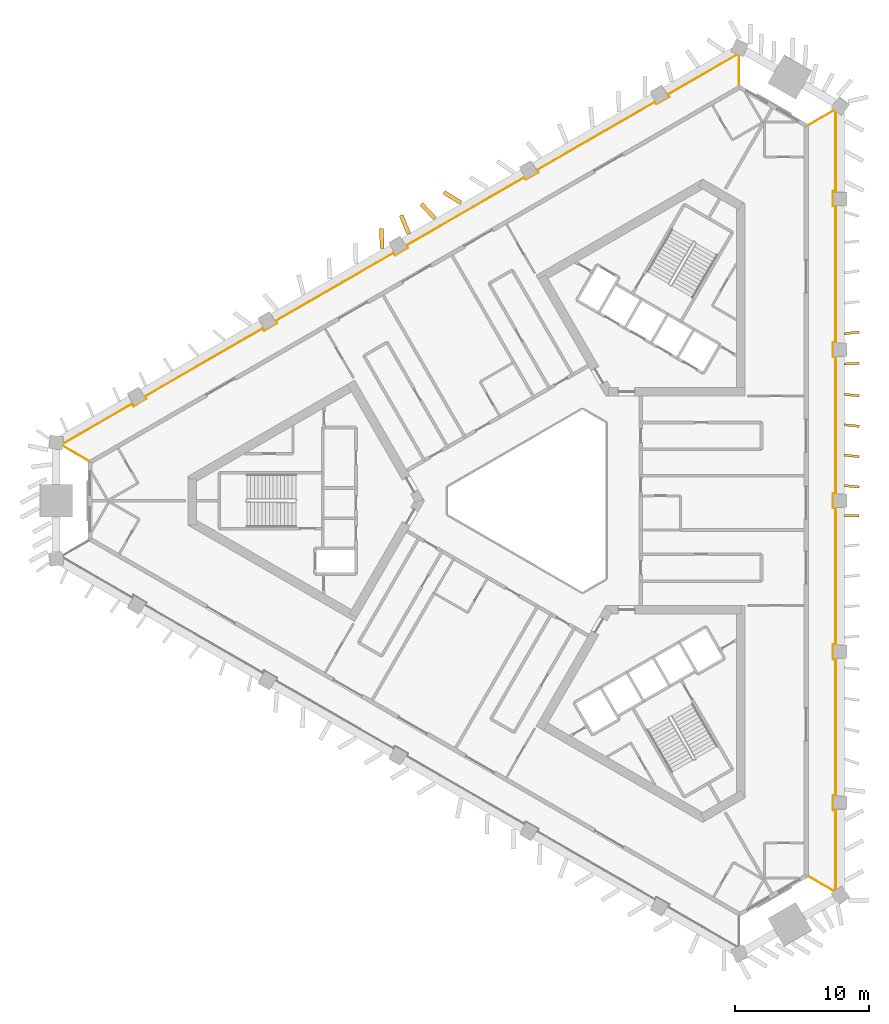
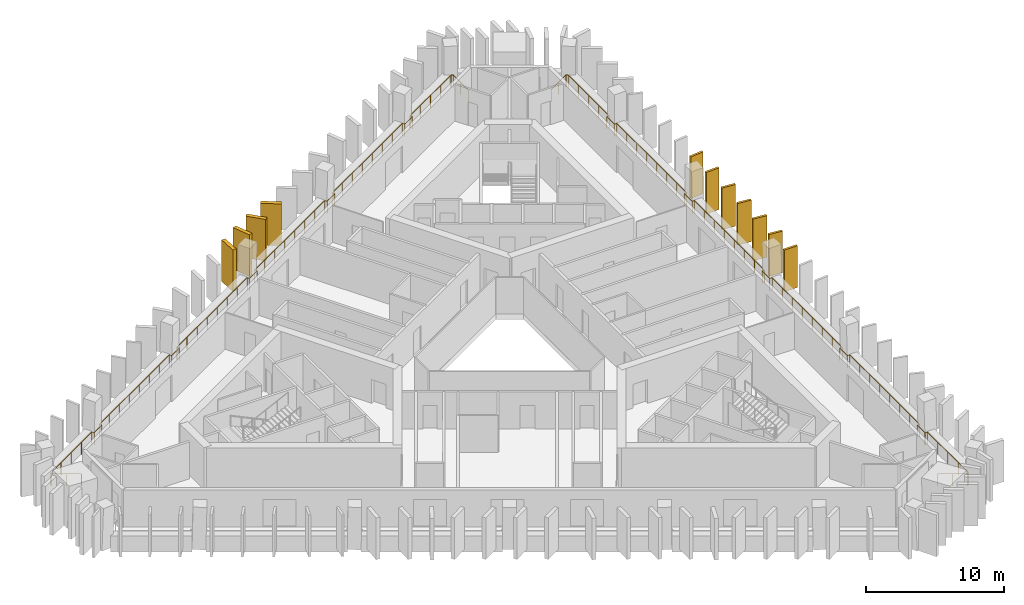
# One storey, part 10 of 11: 11 shading devices, 2 railings.
"""IFC4 building model written with IfcOpenShell, lengths in metres."""

import ifcopenshell
import ifcopenshell.guid

model = None  # the IFC model being written
_history = None  # IfcOwnerHistory: only IFC2X3 demands one
_inside = {}  # id of a spatial element -> (the spatial element, [elements in it])
_under = {}  # id of a project, library or spatial element -> (it, [spatial elements below it])
_declared = {}  # id of a project -> (the project, [libraries it declares])
_typed = {}  # id of a type object -> (the type object, [elements of that type])
_made_of = {}  # id of a material, layer set ... -> (it, [elements and type objects made of it])


def new_model(schema):
    """Start an empty IFC model of exactly this schema.

    Asked for "IFC4X3", IfcOpenShell would pick the latest addendum, in which some entities
    have other attributes; the version numbers below select the first issue.
    IFC2X3 requires an IfcOwnerHistory on every rooted entity: one is made here for all.
    """
    global model, _history
    if schema == "IFC4X3":
        model = ifcopenshell.file(schema_version=(4, 3, 0, 0))
    else:
        model = ifcopenshell.file(schema=schema)
    _inside.clear()
    _under.clear()
    _declared.clear()
    _typed.clear()
    _made_of.clear()
    _history = None
    if model.schema == "IFC2X3":
        org = make("IfcOrganization", Name="unknown")
        user = make(
            "IfcPersonAndOrganization",
            ThePerson=make("IfcPerson", FamilyName="unknown"),
            TheOrganization=org,
        )
        app = make(
            "IfcApplication",
            ApplicationDeveloper=org,
            Version="unknown",
            ApplicationFullName="unknown",
            ApplicationIdentifier="unknown",
        )
        _history = make(
            "IfcOwnerHistory",
            OwningUser=user,
            OwningApplication=app,
            ChangeAction="ADDED",
            CreationDate=0,
        )
    return model


def make(cls, **values):
    """One entity of the class cls with the attributes given. An attribute that is None is left unset."""
    return model.create_entity(
        cls, **{name: value for name, value in values.items() if value is not None}
    )


def rooted(cls, **values):
    """An entity with a GlobalId (a new one), such as an element, a storey or a relation."""
    return make(cls, GlobalId=ifcopenshell.guid.new(), OwnerHistory=_history, **values)


def si_unit(unit_type, name, prefix=None):
    """IfcSIUnit, for example si_unit("LENGTHUNIT", "METRE", prefix="MILLI")."""
    return make("IfcSIUnit", UnitType=unit_type, Prefix=prefix, Name=name)


def assignment(units):
    """IfcUnitAssignment: the units of a project."""
    return None if units is None else make("IfcUnitAssignment", Units=units)


def point(xyz):
    """IfcCartesianPoint."""
    return None if xyz is None else make("IfcCartesianPoint", Coordinates=xyz)


def direction(xyz):
    """IfcDirection."""
    return None if xyz is None else make("IfcDirection", DirectionRatios=xyz)


def frame(location, z_axis=None, x_axis=None):
    """IfcAxis2Placement3D, a coordinate frame: its origin and axes. An axis left out is left unset."""
    return make(
        "IfcAxis2Placement3D",
        Location=point(location),
        Axis=direction(z_axis),
        RefDirection=direction(x_axis),
    )


def frame_2d(location, x_axis=None):
    """IfcAxis2Placement2D, a coordinate frame in the plane: its origin and x axis."""
    return make(
        "IfcAxis2Placement2D", Location=point(location), RefDirection=direction(x_axis)
    )


def origin():
    """The frame at (0, 0, 0) with its axes left unset."""
    return frame((0.0, 0.0, 0.0))


def origin_2d():
    """The frame at (0, 0) in the plane with its x axis left unset."""
    return frame_2d((0.0, 0.0))


def place(relative_to, where):
    """IfcLocalPlacement: puts the frame where relative to a parent placement (None: the world)."""
    return make(
        "IfcLocalPlacement", PlacementRelTo=relative_to, RelativePlacement=where
    )


def context(
    kind, dimensions, precision=None, world=None, true_north=None, identifier=None
):
    """IfcGeometricRepresentationContext, for example the 3D "Model" context."""
    return make(
        "IfcGeometricRepresentationContext",
        ContextIdentifier=identifier,
        ContextType=kind,
        CoordinateSpaceDimension=dimensions,
        Precision=precision,
        WorldCoordinateSystem=world,
        TrueNorth=true_north,
    )


def subcontext(parent, identifier, kind, view, scale=None):
    """IfcGeometricRepresentationSubContext, for example "Body" below "Model"."""
    return make(
        "IfcGeometricRepresentationSubContext",
        ContextIdentifier=identifier,
        ContextType=kind,
        ParentContext=parent,
        TargetScale=scale,
        TargetView=view,
    )


def project(units=None, contexts=None):
    """IfcProject with its units and contexts."""
    return rooted(
        "IfcProject",
        Name="project",
        RepresentationContexts=contexts,
        UnitsInContext=assignment(units),
    )


def spatial(cls, under=None, at=None, **own):
    """A site, building, storey or space (cls), placed at a placement, below another one or the project."""
    s = rooted(cls, ObjectPlacement=at, **own)
    if under is not None:
        _under.setdefault(under.id(), (under, []))[1].append(s)
    return s


def profile(cls, at=None, kind="AREA", **sizes):
    """A parametric profile (cls). Its sizes go by their IFC names, for example OverallWidth=200.0."""
    return make(cls, ProfileType=kind, Position=at, **sizes)


def rectangle(**sizes):
    """IfcRectangleProfileDef."""
    return profile("IfcRectangleProfileDef", **sizes)


def circle(**sizes):
    """IfcCircleProfileDef."""
    return profile("IfcCircleProfileDef", **sizes)


def extrude(swept, where, along, depth):
    """IfcExtrudedAreaSolid: the profile swept, set in the frame where, extruded along a direction by depth."""
    return make(
        "IfcExtrudedAreaSolid",
        SweptArea=swept,
        Position=where,
        ExtrudedDirection=direction(along),
        Depth=depth,
    )


def shape(context_of_items, identifier, shape_type, items):
    """IfcShapeRepresentation: the items that make up one representation, for example the "Body"."""
    return make(
        "IfcShapeRepresentation",
        ContextOfItems=context_of_items,
        RepresentationIdentifier=identifier,
        RepresentationType=shape_type,
        Items=items,
    )


def material(Name=None, Category=None):
    """IfcMaterial."""
    return make("IfcMaterial", Name=Name, Category=Category)


def layer(
    of_material, thickness, ventilated=None, Name=None, Category=None, Priority=None
):
    """IfcMaterialLayer: one layer of a wall or slab, of a material (None: an air gap)."""
    return make(
        "IfcMaterialLayer",
        Material=of_material,
        LayerThickness=thickness,
        IsVentilated=ventilated,
        Name=Name,
        Category=Category,
        Priority=Priority,
    )


def layer_set(layers, Name=None):
    """IfcMaterialLayerSet."""
    return make("IfcMaterialLayerSet", MaterialLayers=layers, LayerSetName=Name)


def made_of(thing, what):
    """Note that an element or type object is made of a material, layer set ...; save() writes the relation."""
    if what is not None:
        _made_of.setdefault(what.id(), (what, []))[1].append(thing)
    return thing


def type_object(cls, material=None, **own):
    """A type object (cls), such as IfcWallType, which elements share."""
    return made_of(rooted(cls, **own), material)


def element(
    cls,
    number,
    at=None,
    inside=None,
    cuts=None,
    type_object=None,
    material=None,
    context=None,
    identifier="Body",
    shape_type=None,
    held_by="IfcProductDefinitionShape",
    body=None,
    shapes=None,
    **own,
):
    """One element of the class cls, such as IfcWall. Its Tag is "e" and its number.

    at: its placement. inside: the storey or other place that contains it. cuts: it is an
    opening in that element (IfcRelVoidsElement). A single representation is given by context,
    identifier, shape_type and body (its items); several are given by shapes. held_by: the class
    of the entity that holds the representations. save() writes the other relations.
    """
    e = rooted(cls, Tag="e%d" % number, ObjectPlacement=at, **own)
    if body is not None:
        shapes = [shape(context, identifier, shape_type, body)]
    if shapes is not None:
        e.Representation = make(held_by, Representations=shapes)
    if inside is not None:
        _inside.setdefault(inside.id(), (inside, []))[1].append(e)
    if cuts is not None:
        rooted(
            "IfcRelVoidsElement", RelatingBuildingElement=cuts, RelatedOpeningElement=e
        )
    if type_object is not None:
        _typed.setdefault(type_object.id(), (type_object, []))[1].append(e)
    return made_of(e, material)


def aggregate(whole, parts):
    """IfcRelAggregates: a whole, such as a stair, and the parts it consists of."""
    return rooted("IfcRelAggregates", RelatingObject=whole, RelatedObjects=parts)


def save(model, path):
    """Write the relations noted so far, then the file.

    IfcRelAggregates (storeys below a building ...), IfcRelContainedInSpatialStructure (elements
    in a storey), IfcRelDefinesByType, IfcRelAssociatesMaterial and IfcRelDeclares: one each for
    every whole, place, type object, material and project.
    """
    for whole, parts in _under.values():
        aggregate(whole, parts)
    for where, things in _inside.values():
        rooted(
            "IfcRelContainedInSpatialStructure",
            RelatedElements=things,
            RelatingStructure=where,
        )
    for kind, things in _typed.values():
        rooted("IfcRelDefinesByType", RelatedObjects=things, RelatingType=kind)
    for what, things in _made_of.values():
        rooted("IfcRelAssociatesMaterial", RelatedObjects=things, RelatingMaterial=what)
    for by, libraries in _declared.values():
        rooted("IfcRelDeclares", RelatingContext=by, RelatedDefinitions=libraries)
    model.write(path)


model = new_model("IFC4")

# Units and contexts
model_context = context("Model", 3, precision=1e-05, world=origin(), true_north=direction((0.0, 1.0)))
body_context = subcontext(model_context, "Body", "Model", "MODEL_VIEW")
ifc_project = project(units=[si_unit("LENGTHUNIT", "METRE"), si_unit("AREAUNIT", "SQUARE_METRE"), si_unit("VOLUMEUNIT", "CUBIC_METRE"), si_unit("PLANEANGLEUNIT", "RADIAN"), si_unit("MASSUNIT", "GRAM", prefix="KILO")], contexts=[model_context])

# Site, building, storey
site_placement = place(None, origin())
site = spatial("IfcSite", under=ifc_project, at=site_placement, CompositionType="ELEMENT")
building_placement = place(site_placement, origin())
building = spatial("IfcBuilding", under=site, at=building_placement, Name="Jabali Bay Hotel Tower and Convention Centre", CompositionType="ELEMENT")
storey_placement = place(building_placement, frame((0.0, 0.0, 132.699951171875)))
storey = spatial("IfcBuildingStorey", under=building, at=storey_placement, Name="L32", CompositionType="ELEMENT", Elevation=132.699951171875)

# Railings
ifc_material_1 = material(Name="Glass", Category="glass")
railing_type = type_object("IfcRailingType", Name="Loggia glass guard 1100", PredefinedType="BALUSTRADE", material=ifc_material_1)
railing_1_placement = place(storey_placement, frame((94.626708984375, 107.98974609375, 0.0)))
element("IfcRailing", 1, at=railing_1_placement, inside=storey, type_object=railing_type, Name="Loggia glass guard L32", PredefinedType="BALUSTRADE", context=body_context, shape_type="SweptSolid", body=[
    extrude(circle(Radius=0.02490234375, at=origin_2d()), frame((0.0, 0.0, 1.0751953125), z_axis=(0.866056034881, 0.49994694163, 0.0), x_axis=(-0.495669826239, 0.858646805445, 0.13052619222)), (0.0, 0.0, 1.0), 2.165283203125),
    extrude(circle(Radius=0.02490234375, at=origin_2d()), frame((1.875244140625, 1.08251953125, 1.0751953125), z_axis=(0.801691186768, -0.597738438666, 0.0), x_axis=(0.592624703461, 0.794832607529, 0.13052619222)), (0.0, 0.0, 1.0), 0.155517578125),
    extrude(circle(Radius=0.02490234375, at=origin_2d()), frame((2.0, 0.989501953125, 1.0751953125), z_axis=(0.0, -1.0, 0.0), x_axis=(0.991444861374, 0.0, 0.13052619222)), (0.0, 0.0, 1.0), 5.939697265625),
    extrude(circle(Radius=0.02490234375, at=origin_2d()), frame((2.0, -4.9501953125, 1.0751953125), z_axis=(-1.0, 0.0, 0.0), x_axis=(0.0, -0.991444861374, 0.13052619222)), (0.0, 0.0, 1.0), 0.2001953125),
    extrude(circle(Radius=0.02490234375, at=origin_2d()), frame((1.7998046875, -4.9501953125, 1.0751953125), z_axis=(0.0, -1.0, 0.0), x_axis=(0.991444861374, 0.0, 0.13052619222)), (0.0, 0.0, 1.0), 1.099853515625),
    extrude(circle(Radius=0.02490234375, at=origin_2d()), frame((1.7998046875, -6.050048828125, 1.0751953125), z_axis=(1.0, 0.0, 0.0), x_axis=(0.0, 0.991444861374, 0.13052619222)), (0.0, 0.0, 1.0), 0.2001953125),
    extrude(circle(Radius=0.02490234375, at=origin_2d()), frame((2.0, -6.050048828125, 1.0751953125), z_axis=(0.0, -1.0, 0.0), x_axis=(0.991444861374, 0.0, 0.13052619222)), (0.0, 0.0, 1.0), 10.14501953125),
    extrude(circle(Radius=0.02490234375, at=origin_2d()), frame((2.0, -16.195068359375, 1.0751953125), z_axis=(-1.0, 0.0, 0.0), x_axis=(0.0, -0.991444861374, 0.13052619222)), (0.0, 0.0, 1.0), 0.2001953125),
    extrude(circle(Radius=0.02490234375, at=origin_2d()), frame((1.7998046875, -16.195068359375, 1.0751953125), z_axis=(0.0, -1.0, 0.0), x_axis=(0.991444861374, 0.0, 0.13052619222)), (0.0, 0.0, 1.0), 1.099853515625),
    extrude(circle(Radius=0.02490234375, at=origin_2d()), frame((1.7998046875, -17.294921875, 1.0751953125), z_axis=(1.0, 0.0, 0.0), x_axis=(0.0, 0.991444861374, 0.13052619222)), (0.0, 0.0, 1.0), 0.2001953125),
    extrude(circle(Radius=0.02490234375, at=origin_2d()), frame((2.0, -17.294921875, 1.0751953125), z_axis=(0.0, -1.0, 0.0), x_axis=(0.991444861374, 0.0, 0.13052619222)), (0.0, 0.0, 1.0), 10.144775390625),
    extrude(circle(Radius=0.02490234375, at=origin_2d()), frame((2.0, -27.439697265625, 1.0751953125), z_axis=(-1.0, 0.0, 0.0), x_axis=(0.0, -0.991444861374, 0.13052619222)), (0.0, 0.0, 1.0), 0.2001953125),
    extrude(circle(Radius=0.02490234375, at=origin_2d()), frame((1.7998046875, -27.439697265625, 1.0751953125), z_axis=(0.0, -1.0, 0.0), x_axis=(0.991444861374, 0.0, 0.13052619222)), (0.0, 0.0, 1.0), 1.10009765625),
    extrude(circle(Radius=0.02490234375, at=origin_2d()), frame((1.7998046875, -28.539794921875, 1.0751953125), z_axis=(1.0, 0.0, 0.0), x_axis=(0.0, 0.991444861374, 0.13052619222)), (0.0, 0.0, 1.0), 0.2001953125),
    extrude(circle(Radius=0.02490234375, at=origin_2d()), frame((2.0, -28.539794921875, 1.0751953125), z_axis=(0.0, -1.0, 0.0), x_axis=(0.991444861374, 0.0, 0.13052619222)), (0.0, 0.0, 1.0), 10.144775390625),
    extrude(circle(Radius=0.02490234375, at=origin_2d()), frame((2.0, -38.6845703125, 1.0751953125), z_axis=(-1.0, 0.0, 0.0), x_axis=(0.0, -0.991444861374, 0.13052619222)), (0.0, 0.0, 1.0), 0.2001953125),
    extrude(circle(Radius=0.02490234375, at=origin_2d()), frame((1.7998046875, -38.6845703125, 1.0751953125), z_axis=(0.0, -1.0, 0.0), x_axis=(0.991444861374, 0.0, 0.13052619222)), (0.0, 0.0, 1.0), 1.099853515625),
    extrude(circle(Radius=0.02490234375, at=origin_2d()), frame((1.7998046875, -39.784423828125, 1.0751953125), z_axis=(1.0, 0.0, 0.0), x_axis=(0.0, 0.991444861374, 0.13052619222)), (0.0, 0.0, 1.0), 0.2001953125),
    extrude(circle(Radius=0.02490234375, at=origin_2d()), frame((2.0, -39.784423828125, 1.0751953125), z_axis=(0.0, -1.0, 0.0), x_axis=(0.991444861374, 0.0, 0.13052619222)), (0.0, 0.0, 1.0), 10.14501953125),
    extrude(circle(Radius=0.02490234375, at=origin_2d()), frame((2.0, -49.929443359375, 1.0751953125), z_axis=(-1.0, 0.0, 0.0), x_axis=(0.0, -0.991444861374, 0.13052619222)), (0.0, 0.0, 1.0), 0.2001953125),
    extrude(circle(Radius=0.02490234375, at=origin_2d()), frame((1.7998046875, -49.929443359375, 1.0751953125), z_axis=(0.0, -1.0, 0.0), x_axis=(0.991444861374, 0.0, 0.13052619222)), (0.0, 0.0, 1.0), 1.099853515625),
    extrude(circle(Radius=0.02490234375, at=origin_2d()), frame((1.7998046875, -51.029296875, 1.0751953125), z_axis=(1.0, 0.0, 0.0), x_axis=(0.0, 0.991444861374, 0.13052619222)), (0.0, 0.0, 1.0), 0.2001953125),
    extrude(circle(Radius=0.02490234375, at=origin_2d()), frame((2.0, -51.029296875, 1.0751953125), z_axis=(0.0, -1.0, 0.0), x_axis=(0.991444861374, 0.0, 0.13052619222)), (0.0, 0.0, 1.0), 5.939697265625),
    extrude(circle(Radius=0.02490234375, at=origin_2d()), frame((2.0, -56.968994140625, 1.0751953125), z_axis=(-0.801691186768, -0.597738438666, 0.0), x_axis=(0.592624703461, -0.794832607529, 0.13052619222)), (0.0, 0.0, 1.0), 0.155517578125),
    extrude(circle(Radius=0.02490234375, at=origin_2d()), frame((1.875244140625, -57.06201171875, 1.0751953125), z_axis=(-0.866056034881, 0.49994694163, 0.0), x_axis=(-0.495669826239, -0.858646805445, 0.13052619222)), (0.0, 0.0, 1.0), 2.165283203125),
    extrude(circle(Radius=0.02001953125, at=origin_2d()), origin(), (0.0, 0.0, 1.0), 1.050048828125),
    extrude(circle(Radius=0.02001953125, at=origin_2d()), frame((0.9375, 0.541259765625, 0.0)), (0.0, 0.0, 1.0), 1.050048828125),
    extrude(circle(Radius=0.02001953125, at=origin_2d()), frame((1.875244140625, 1.08251953125, 0.0)), (0.0, 0.0, 1.0), 1.050048828125),
    extrude(circle(Radius=0.02001953125, at=origin_2d()), frame((2.0, 0.989501953125, 0.0)), (0.0, 0.0, 1.0), 1.050048828125),
    extrude(circle(Radius=0.02001953125, at=origin_2d()), frame((2.0, -0.495361328125, 0.0)), (0.0, 0.0, 1.0), 1.050048828125),
    extrude(circle(Radius=0.02001953125, at=origin_2d()), frame((2.0, -1.98046875, 0.0)), (0.0, 0.0, 1.0), 1.050048828125),
    extrude(circle(Radius=0.02001953125, at=origin_2d()), frame((2.0, -3.46533203125, 0.0)), (0.0, 0.0, 1.0), 1.050048828125),
    extrude(circle(Radius=0.02001953125, at=origin_2d()), frame((2.0, -4.9501953125, 0.0)), (0.0, 0.0, 1.0), 1.050048828125),
    extrude(circle(Radius=0.02001953125, at=origin_2d()), frame((1.7998046875, -4.9501953125, 0.0)), (0.0, 0.0, 1.0), 1.050048828125),
    extrude(circle(Radius=0.02001953125, at=origin_2d()), frame((1.7998046875, -6.050048828125, 0.0)), (0.0, 0.0, 1.0), 1.050048828125),
    extrude(circle(Radius=0.02001953125, at=origin_2d()), frame((2.0, -6.050048828125, 0.0)), (0.0, 0.0, 1.0), 1.050048828125),
    extrude(circle(Radius=0.02001953125, at=origin_2d()), frame((2.0, -7.499267578125, 0.0)), (0.0, 0.0, 1.0), 1.050048828125),
    extrude(circle(Radius=0.02001953125, at=origin_2d()), frame((2.0, -8.94873046875, 0.0)), (0.0, 0.0, 1.0), 1.050048828125),
    extrude(circle(Radius=0.02001953125, at=origin_2d()), frame((2.0, -10.39794921875, 0.0)), (0.0, 0.0, 1.0), 1.050048828125),
    extrude(circle(Radius=0.02001953125, at=origin_2d()), frame((2.0, -11.84716796875, 0.0)), (0.0, 0.0, 1.0), 1.050048828125),
    extrude(circle(Radius=0.02001953125, at=origin_2d()), frame((2.0, -13.29638671875, 0.0)), (0.0, 0.0, 1.0), 1.050048828125),
    extrude(circle(Radius=0.02001953125, at=origin_2d()), frame((2.0, -14.745849609375, 0.0)), (0.0, 0.0, 1.0), 1.050048828125),
    extrude(circle(Radius=0.02001953125, at=origin_2d()), frame((2.0, -16.195068359375, 0.0)), (0.0, 0.0, 1.0), 1.050048828125),
    extrude(circle(Radius=0.02001953125, at=origin_2d()), frame((1.7998046875, -16.195068359375, 0.0)), (0.0, 0.0, 1.0), 1.050048828125),
    extrude(circle(Radius=0.02001953125, at=origin_2d()), frame((1.7998046875, -17.294921875, 0.0)), (0.0, 0.0, 1.0), 1.050048828125),
    extrude(circle(Radius=0.02001953125, at=origin_2d()), frame((2.0, -17.294921875, 0.0)), (0.0, 0.0, 1.0), 1.050048828125),
    extrude(circle(Radius=0.02001953125, at=origin_2d()), frame((2.0, -18.744140625, 0.0)), (0.0, 0.0, 1.0), 1.050048828125),
    extrude(circle(Radius=0.02001953125, at=origin_2d()), frame((2.0, -20.193359375, 0.0)), (0.0, 0.0, 1.0), 1.050048828125),
    extrude(circle(Radius=0.02001953125, at=origin_2d()), frame((2.0, -21.642578125, 0.0)), (0.0, 0.0, 1.0), 1.050048828125),
    extrude(circle(Radius=0.02001953125, at=origin_2d()), frame((2.0, -23.092041015625, 0.0)), (0.0, 0.0, 1.0), 1.050048828125),
    extrude(circle(Radius=0.02001953125, at=origin_2d()), frame((2.0, -24.541259765625, 0.0)), (0.0, 0.0, 1.0), 1.050048828125),
    extrude(circle(Radius=0.02001953125, at=origin_2d()), frame((2.0, -25.990478515625, 0.0)), (0.0, 0.0, 1.0), 1.050048828125),
    extrude(circle(Radius=0.02001953125, at=origin_2d()), frame((2.0, -27.439697265625, 0.0)), (0.0, 0.0, 1.0), 1.050048828125),
    extrude(circle(Radius=0.02001953125, at=origin_2d()), frame((1.7998046875, -27.439697265625, 0.0)), (0.0, 0.0, 1.0), 1.050048828125),
    extrude(circle(Radius=0.02001953125, at=origin_2d()), frame((1.7998046875, -28.539794921875, 0.0)), (0.0, 0.0, 1.0), 1.050048828125),
    extrude(circle(Radius=0.02001953125, at=origin_2d()), frame((2.0, -28.539794921875, 0.0)), (0.0, 0.0, 1.0), 1.050048828125),
    extrude(circle(Radius=0.02001953125, at=origin_2d()), frame((2.0, -29.989013671875, 0.0)), (0.0, 0.0, 1.0), 1.050048828125),
    extrude(circle(Radius=0.02001953125, at=origin_2d()), frame((2.0, -31.438232421875, 0.0)), (0.0, 0.0, 1.0), 1.050048828125),
    extrude(circle(Radius=0.02001953125, at=origin_2d()), frame((2.0, -32.887451171875, 0.0)), (0.0, 0.0, 1.0), 1.050048828125),
    extrude(circle(Radius=0.02001953125, at=origin_2d()), frame((2.0, -34.3369140625, 0.0)), (0.0, 0.0, 1.0), 1.050048828125),
    extrude(circle(Radius=0.02001953125, at=origin_2d()), frame((2.0, -35.7861328125, 0.0)), (0.0, 0.0, 1.0), 1.050048828125),
    extrude(circle(Radius=0.02001953125, at=origin_2d()), frame((2.0, -37.2353515625, 0.0)), (0.0, 0.0, 1.0), 1.050048828125),
    extrude(circle(Radius=0.02001953125, at=origin_2d()), frame((2.0, -38.6845703125, 0.0)), (0.0, 0.0, 1.0), 1.050048828125),
    extrude(circle(Radius=0.02001953125, at=origin_2d()), frame((1.7998046875, -38.6845703125, 0.0)), (0.0, 0.0, 1.0), 1.050048828125),
    extrude(circle(Radius=0.02001953125, at=origin_2d()), frame((1.7998046875, -39.784423828125, 0.0)), (0.0, 0.0, 1.0), 1.050048828125),
    extrude(circle(Radius=0.02001953125, at=origin_2d()), frame((2.0, -39.784423828125, 0.0)), (0.0, 0.0, 1.0), 1.050048828125),
    extrude(circle(Radius=0.02001953125, at=origin_2d()), frame((2.0, -41.233642578125, 0.0)), (0.0, 0.0, 1.0), 1.050048828125),
    extrude(circle(Radius=0.02001953125, at=origin_2d()), frame((2.0, -42.68310546875, 0.0)), (0.0, 0.0, 1.0), 1.050048828125),
    extrude(circle(Radius=0.02001953125, at=origin_2d()), frame((2.0, -44.13232421875, 0.0)), (0.0, 0.0, 1.0), 1.050048828125),
    extrude(circle(Radius=0.02001953125, at=origin_2d()), frame((2.0, -45.58154296875, 0.0)), (0.0, 0.0, 1.0), 1.050048828125),
    extrude(circle(Radius=0.02001953125, at=origin_2d()), frame((2.0, -47.03076171875, 0.0)), (0.0, 0.0, 1.0), 1.050048828125),
    extrude(circle(Radius=0.02001953125, at=origin_2d()), frame((2.0, -48.480224609375, 0.0)), (0.0, 0.0, 1.0), 1.050048828125),
    extrude(circle(Radius=0.02001953125, at=origin_2d()), frame((2.0, -49.929443359375, 0.0)), (0.0, 0.0, 1.0), 1.050048828125),
    extrude(circle(Radius=0.02001953125, at=origin_2d()), frame((1.7998046875, -49.929443359375, 0.0)), (0.0, 0.0, 1.0), 1.050048828125),
    extrude(circle(Radius=0.02001953125, at=origin_2d()), frame((1.7998046875, -51.029296875, 0.0)), (0.0, 0.0, 1.0), 1.050048828125),
    extrude(circle(Radius=0.02001953125, at=origin_2d()), frame((2.0, -51.029296875, 0.0)), (0.0, 0.0, 1.0), 1.050048828125),
    extrude(circle(Radius=0.02001953125, at=origin_2d()), frame((2.0, -52.51416015625, 0.0)), (0.0, 0.0, 1.0), 1.050048828125),
    extrude(circle(Radius=0.02001953125, at=origin_2d()), frame((2.0, -53.9990234375, 0.0)), (0.0, 0.0, 1.0), 1.050048828125),
    extrude(circle(Radius=0.02001953125, at=origin_2d()), frame((2.0, -55.484130859375, 0.0)), (0.0, 0.0, 1.0), 1.050048828125),
    extrude(circle(Radius=0.02001953125, at=origin_2d()), frame((2.0, -56.968994140625, 0.0)), (0.0, 0.0, 1.0), 1.050048828125),
    extrude(circle(Radius=0.02001953125, at=origin_2d()), frame((1.875244140625, -57.06201171875, 0.0)), (0.0, 0.0, 1.0), 1.050048828125),
    extrude(circle(Radius=0.02001953125, at=origin_2d()), frame((0.9375, -56.520751953125, 0.0)), (0.0, 0.0, 1.0), 1.050048828125),
    extrude(circle(Radius=0.02001953125, at=origin_2d()), frame((0.0, -55.9794921875, 0.0)), (0.0, 0.0, 1.0), 1.050048828125),
])
railing_2_placement = place(storey_placement, frame((40.947021484375, 83.002197265625, 0.0)))
element("IfcRailing", 2, at=railing_2_placement, inside=storey, type_object=railing_type, Name="Loggia glass guard L32", PredefinedType="BALUSTRADE", context=body_context, shape_type="SweptSolid", body=[
    extrude(circle(Radius=0.02490234375, at=origin_2d()), frame((0.0, 0.0, 1.0751953125), z_axis=(-0.866007213464, 0.500031505235, 0.0), x_axis=(-0.495753666391, -0.858598401702, 0.13052619222)), (0.0, 0.0, 1.0), 2.165283203125),
    extrude(circle(Radius=0.02490234375, at=origin_2d()), frame((-1.875244140625, 1.082763671875, 1.0751953125), z_axis=(0.117660413428, 0.993053889329, 0.0), x_axis=(-0.984558175643, 0.11665381228, 0.13052619222)), (0.0, 0.0, 1.0), 0.155517578125),
    extrude(circle(Radius=0.02490234375, at=origin_2d()), frame((-1.85693359375, 1.2373046875, 1.0751953125), z_axis=(0.866011036969, 0.500024883228, 0.0), x_axis=(-0.495747101036, 0.858602192496, 0.13052619222)), (0.0, 0.0, 1.0), 5.939697265625),
    extrude(circle(Radius=0.02490234375, at=origin_2d()), frame((3.286865234375, 4.207275390625, 1.0751953125), z_axis=(0.499158860599, -0.866510491504, 0.0), x_axis=(0.859097374128, 0.49488848735, 0.13052619222)), (0.0, 0.0, 1.0), 0.199951171875),
    extrude(circle(Radius=0.02490234375, at=origin_2d()), frame((3.38671875, 4.033935546875, 1.0751953125), z_axis=(0.866008176907, 0.50002983664, 0.0), x_axis=(-0.495752012071, 0.858599356902, 0.13052619222)), (0.0, 0.0, 1.0), 1.10009765625),
    extrude(circle(Radius=0.02490234375, at=origin_2d()), frame((4.33935546875, 4.583984375, 1.0751953125), z_axis=(-0.499687197852, 0.866205924883, 0.0), x_axis=(-0.858795413117, -0.495412304605, 0.13052619222)), (0.0, 0.0, 1.0), 0.199951171875),
    extrude(circle(Radius=0.02490234375, at=origin_2d()), frame((4.239501953125, 4.757080078125, 1.0751953125), z_axis=(0.866020472551, 0.500008541049, 0.0), x_axis=(-0.495730898666, 0.858611547355, 0.13052619222)), (0.0, 0.0, 1.0), 10.144775390625),
    extrude(circle(Radius=0.02490234375, at=origin_2d()), frame((13.025146484375, 9.82958984375, 1.0751953125), z_axis=(0.499687197852, -0.866205924883, 0.0), x_axis=(0.858795413117, 0.495412304605, 0.13052619222)), (0.0, 0.0, 1.0), 0.199951171875),
    extrude(circle(Radius=0.02490234375, at=origin_2d()), frame((13.125, 9.656494140625, 1.0751953125), z_axis=(0.866104278045, 0.499863360881, 0.0), x_axis=(-0.495586960535, 0.858694635882, 0.13052619222)), (0.0, 0.0, 1.0), 1.099853515625),
    extrude(circle(Radius=0.02490234375, at=origin_2d()), frame((14.07763671875, 10.206298828125, 1.0751953125), z_axis=(-0.499158860599, 0.866510491504, 0.0), x_axis=(-0.859097374128, -0.49488848735, 0.13052619222)), (0.0, 0.0, 1.0), 0.199951171875),
    extrude(circle(Radius=0.02490234375, at=origin_2d()), frame((13.977783203125, 10.379638671875, 1.0751953125), z_axis=(0.866030893267, 0.499990491817, 0.0), x_axis=(-0.495713003847, 0.858621878921, 0.13052619222)), (0.0, 0.0, 1.0), 10.144775390625),
    extrude(circle(Radius=0.02490234375, at=origin_2d()), frame((22.763427734375, 15.451904296875, 1.0751953125), z_axis=(0.499687197852, -0.866205924883, 0.0), x_axis=(0.858795413117, 0.495412304605, 0.13052619222)), (0.0, 0.0, 1.0), 0.199951171875),
    extrude(circle(Radius=0.02490234375, at=origin_2d()), frame((22.86328125, 15.27880859375, 1.0751953125), z_axis=(0.866008176907, 0.50002983664, 0.0), x_axis=(-0.495752012071, 0.858599356902, 0.13052619222)), (0.0, 0.0, 1.0), 1.10009765625),
    extrude(circle(Radius=0.02490234375, at=origin_2d()), frame((23.81591796875, 15.828857421875, 1.0751953125), z_axis=(-0.499687197852, 0.866205924883, 0.0), x_axis=(-0.858795413117, -0.495412304605, 0.13052619222)), (0.0, 0.0, 1.0), 0.199951171875),
    extrude(circle(Radius=0.02490234375, at=origin_2d()), frame((23.716064453125, 16.001953125, 1.0751953125), z_axis=(0.866020472551, 0.500008541049, 0.0), x_axis=(-0.495730898666, 0.858611547355, 0.13052619222)), (0.0, 0.0, 1.0), 10.144775390625),
    extrude(circle(Radius=0.02490234375, at=origin_2d()), frame((32.501708984375, 21.074462890625, 1.0751953125), z_axis=(0.499158860599, -0.866510491504, 0.0), x_axis=(0.859097374128, 0.49488848735, 0.13052619222)), (0.0, 0.0, 1.0), 0.199951171875),
    extrude(circle(Radius=0.02490234375, at=origin_2d()), frame((32.6015625, 20.901123046875, 1.0751953125), z_axis=(0.866008176907, 0.50002983664, 0.0), x_axis=(-0.495752012071, 0.858599356902, 0.13052619222)), (0.0, 0.0, 1.0), 1.10009765625),
    extrude(circle(Radius=0.02490234375, at=origin_2d()), frame((33.55419921875, 21.451171875, 1.0751953125), z_axis=(-0.499687197852, 0.866205924883, 0.0), x_axis=(-0.858795413117, -0.495412304605, 0.13052619222)), (0.0, 0.0, 1.0), 0.199951171875),
    extrude(circle(Radius=0.02490234375, at=origin_2d()), frame((33.454345703125, 21.624267578125, 1.0751953125), z_axis=(0.866020472551, 0.500008541049, 0.0), x_axis=(-0.495730898666, 0.858611547355, 0.13052619222)), (0.0, 0.0, 1.0), 10.144775390625),
    extrude(circle(Radius=0.02490234375, at=origin_2d()), frame((42.239990234375, 26.69677734375, 1.0751953125), z_axis=(0.499687197852, -0.866205924883, 0.0), x_axis=(0.858795413117, 0.495412304605, 0.13052619222)), (0.0, 0.0, 1.0), 0.199951171875),
    extrude(circle(Radius=0.02490234375, at=origin_2d()), frame((42.33984375, 26.523681640625, 1.0751953125), z_axis=(0.866104278045, 0.499863360881, 0.0), x_axis=(-0.495586960535, 0.858694635882, 0.13052619222)), (0.0, 0.0, 1.0), 1.099853515625),
    extrude(circle(Radius=0.02490234375, at=origin_2d()), frame((43.29248046875, 27.073486328125, 1.0751953125), z_axis=(-0.499158860599, 0.866510491504, 0.0), x_axis=(-0.859097374128, -0.49488848735, 0.13052619222)), (0.0, 0.0, 1.0), 0.199951171875),
    extrude(circle(Radius=0.02490234375, at=origin_2d()), frame((43.192626953125, 27.246826171875, 1.0751953125), z_axis=(0.866028835743, 0.499994055626, 0.0), x_axis=(-0.495716537168, 0.858619838999, 0.13052619222)), (0.0, 0.0, 1.0), 5.939453125),
    extrude(circle(Radius=0.02490234375, at=origin_2d()), frame((48.33642578125, 30.216552734375, 1.0751953125), z_axis=(0.918657809016, -0.395054211386, 0.0), x_axis=(0.391674467843, 0.91079856411, 0.13052619222)), (0.0, 0.0, 1.0), 0.15576171875),
    extrude(circle(Radius=0.02490234375, at=origin_2d()), frame((48.4794921875, 30.155029296875, 1.0751953125), z_axis=(0.0, -1.0, 0.0), x_axis=(0.991444861374, 0.0, 0.13052619222)), (0.0, 0.0, 1.0), 2.165283203125),
    extrude(circle(Radius=0.02001953125, at=origin_2d()), origin(), (0.0, 0.0, 1.0), 1.050048828125),
    extrude(circle(Radius=0.02001953125, at=origin_2d()), frame((-0.9375, 0.54150390625, 0.0)), (0.0, 0.0, 1.0), 1.050048828125),
    extrude(circle(Radius=0.02001953125, at=origin_2d()), frame((-1.875244140625, 1.082763671875, 0.0)), (0.0, 0.0, 1.0), 1.050048828125),
    extrude(circle(Radius=0.02001953125, at=origin_2d()), frame((-1.85693359375, 1.2373046875, 0.0)), (0.0, 0.0, 1.0), 1.050048828125),
    extrude(circle(Radius=0.02001953125, at=origin_2d()), frame((-0.571044921875, 1.979736328125, 0.0)), (0.0, 0.0, 1.0), 1.050048828125),
    extrude(circle(Radius=0.02001953125, at=origin_2d()), frame((0.71484375, 2.72216796875, 0.0)), (0.0, 0.0, 1.0), 1.050048828125),
    extrude(circle(Radius=0.02001953125, at=origin_2d()), frame((2.0009765625, 3.46484375, 0.0)), (0.0, 0.0, 1.0), 1.050048828125),
    extrude(circle(Radius=0.02001953125, at=origin_2d()), frame((3.286865234375, 4.207275390625, 0.0)), (0.0, 0.0, 1.0), 1.050048828125),
    extrude(circle(Radius=0.02001953125, at=origin_2d()), frame((3.38671875, 4.033935546875, 0.0)), (0.0, 0.0, 1.0), 1.050048828125),
    extrude(circle(Radius=0.02001953125, at=origin_2d()), frame((4.33935546875, 4.583984375, 0.0)), (0.0, 0.0, 1.0), 1.050048828125),
    extrude(circle(Radius=0.02001953125, at=origin_2d()), frame((4.239501953125, 4.757080078125, 0.0)), (0.0, 0.0, 1.0), 1.050048828125),
    extrude(circle(Radius=0.02001953125, at=origin_2d()), frame((5.49462890625, 5.481689453125, 0.0)), (0.0, 0.0, 1.0), 1.050048828125),
    extrude(circle(Radius=0.02001953125, at=origin_2d()), frame((6.749755859375, 6.206298828125, 0.0)), (0.0, 0.0, 1.0), 1.050048828125),
    extrude(circle(Radius=0.02001953125, at=origin_2d()), frame((8.0048828125, 6.930908203125, 0.0)), (0.0, 0.0, 1.0), 1.050048828125),
    extrude(circle(Radius=0.02001953125, at=origin_2d()), frame((9.259765625, 7.65576171875, 0.0)), (0.0, 0.0, 1.0), 1.050048828125),
    extrude(circle(Radius=0.02001953125, at=origin_2d()), frame((10.514892578125, 8.38037109375, 0.0)), (0.0, 0.0, 1.0), 1.050048828125),
    extrude(circle(Radius=0.02001953125, at=origin_2d()), frame((11.77001953125, 9.10498046875, 0.0)), (0.0, 0.0, 1.0), 1.050048828125),
    extrude(circle(Radius=0.02001953125, at=origin_2d()), frame((13.025146484375, 9.82958984375, 0.0)), (0.0, 0.0, 1.0), 1.050048828125),
    extrude(circle(Radius=0.02001953125, at=origin_2d()), frame((13.125, 9.656494140625, 0.0)), (0.0, 0.0, 1.0), 1.050048828125),
    extrude(circle(Radius=0.02001953125, at=origin_2d()), frame((14.07763671875, 10.206298828125, 0.0)), (0.0, 0.0, 1.0), 1.050048828125),
    extrude(circle(Radius=0.02001953125, at=origin_2d()), frame((13.977783203125, 10.379638671875, 0.0)), (0.0, 0.0, 1.0), 1.050048828125),
    extrude(circle(Radius=0.02001953125, at=origin_2d()), frame((15.23291015625, 11.104248046875, 0.0)), (0.0, 0.0, 1.0), 1.050048828125),
    extrude(circle(Radius=0.02001953125, at=origin_2d()), frame((16.488037109375, 11.828857421875, 0.0)), (0.0, 0.0, 1.0), 1.050048828125),
    extrude(circle(Radius=0.02001953125, at=origin_2d()), frame((17.7431640625, 12.553466796875, 0.0)), (0.0, 0.0, 1.0), 1.050048828125),
    extrude(circle(Radius=0.02001953125, at=origin_2d()), frame((18.998046875, 13.278076171875, 0.0)), (0.0, 0.0, 1.0), 1.050048828125),
    extrude(circle(Radius=0.02001953125, at=origin_2d()), frame((20.253173828125, 14.002685546875, 0.0)), (0.0, 0.0, 1.0), 1.050048828125),
    extrude(circle(Radius=0.02001953125, at=origin_2d()), frame((21.50830078125, 14.727294921875, 0.0)), (0.0, 0.0, 1.0), 1.050048828125),
    extrude(circle(Radius=0.02001953125, at=origin_2d()), frame((22.763427734375, 15.451904296875, 0.0)), (0.0, 0.0, 1.0), 1.050048828125),
    extrude(circle(Radius=0.02001953125, at=origin_2d()), frame((22.86328125, 15.27880859375, 0.0)), (0.0, 0.0, 1.0), 1.050048828125),
    extrude(circle(Radius=0.02001953125, at=origin_2d()), frame((23.81591796875, 15.828857421875, 0.0)), (0.0, 0.0, 1.0), 1.050048828125),
    extrude(circle(Radius=0.02001953125, at=origin_2d()), frame((23.716064453125, 16.001953125, 0.0)), (0.0, 0.0, 1.0), 1.050048828125),
    extrude(circle(Radius=0.02001953125, at=origin_2d()), frame((24.97119140625, 16.7265625, 0.0)), (0.0, 0.0, 1.0), 1.050048828125),
    extrude(circle(Radius=0.02001953125, at=origin_2d()), frame((26.226318359375, 17.451171875, 0.0)), (0.0, 0.0, 1.0), 1.050048828125),
    extrude(circle(Radius=0.02001953125, at=origin_2d()), frame((27.4814453125, 18.17578125, 0.0)), (0.0, 0.0, 1.0), 1.050048828125),
    extrude(circle(Radius=0.02001953125, at=origin_2d()), frame((28.736328125, 18.900634765625, 0.0)), (0.0, 0.0, 1.0), 1.050048828125),
    extrude(circle(Radius=0.02001953125, at=origin_2d()), frame((29.991455078125, 19.625244140625, 0.0)), (0.0, 0.0, 1.0), 1.050048828125),
    extrude(circle(Radius=0.02001953125, at=origin_2d()), frame((31.24658203125, 20.349853515625, 0.0)), (0.0, 0.0, 1.0), 1.050048828125),
    extrude(circle(Radius=0.02001953125, at=origin_2d()), frame((32.501708984375, 21.074462890625, 0.0)), (0.0, 0.0, 1.0), 1.050048828125),
    extrude(circle(Radius=0.02001953125, at=origin_2d()), frame((32.6015625, 20.901123046875, 0.0)), (0.0, 0.0, 1.0), 1.050048828125),
    extrude(circle(Radius=0.02001953125, at=origin_2d()), frame((33.55419921875, 21.451171875, 0.0)), (0.0, 0.0, 1.0), 1.050048828125),
    extrude(circle(Radius=0.02001953125, at=origin_2d()), frame((33.454345703125, 21.624267578125, 0.0)), (0.0, 0.0, 1.0), 1.050048828125),
    extrude(circle(Radius=0.02001953125, at=origin_2d()), frame((34.70947265625, 22.348876953125, 0.0)), (0.0, 0.0, 1.0), 1.050048828125),
    extrude(circle(Radius=0.02001953125, at=origin_2d()), frame((35.964599609375, 23.073486328125, 0.0)), (0.0, 0.0, 1.0), 1.050048828125),
    extrude(circle(Radius=0.02001953125, at=origin_2d()), frame((37.2197265625, 23.798095703125, 0.0)), (0.0, 0.0, 1.0), 1.050048828125),
    extrude(circle(Radius=0.02001953125, at=origin_2d()), frame((38.474609375, 24.52294921875, 0.0)), (0.0, 0.0, 1.0), 1.050048828125),
    extrude(circle(Radius=0.02001953125, at=origin_2d()), frame((39.729736328125, 25.24755859375, 0.0)), (0.0, 0.0, 1.0), 1.050048828125),
    extrude(circle(Radius=0.02001953125, at=origin_2d()), frame((40.98486328125, 25.97216796875, 0.0)), (0.0, 0.0, 1.0), 1.050048828125),
    extrude(circle(Radius=0.02001953125, at=origin_2d()), frame((42.239990234375, 26.69677734375, 0.0)), (0.0, 0.0, 1.0), 1.050048828125),
    extrude(circle(Radius=0.02001953125, at=origin_2d()), frame((42.33984375, 26.523681640625, 0.0)), (0.0, 0.0, 1.0), 1.050048828125),
    extrude(circle(Radius=0.02001953125, at=origin_2d()), frame((43.29248046875, 27.073486328125, 0.0)), (0.0, 0.0, 1.0), 1.050048828125),
    extrude(circle(Radius=0.02001953125, at=origin_2d()), frame((43.192626953125, 27.246826171875, 0.0)), (0.0, 0.0, 1.0), 1.050048828125),
    extrude(circle(Radius=0.02001953125, at=origin_2d()), frame((44.478515625, 27.9892578125, 0.0)), (0.0, 0.0, 1.0), 1.050048828125),
    extrude(circle(Radius=0.02001953125, at=origin_2d()), frame((45.7646484375, 28.731689453125, 0.0)), (0.0, 0.0, 1.0), 1.050048828125),
    extrude(circle(Radius=0.02001953125, at=origin_2d()), frame((47.050537109375, 29.47412109375, 0.0)), (0.0, 0.0, 1.0), 1.050048828125),
    extrude(circle(Radius=0.02001953125, at=origin_2d()), frame((48.33642578125, 30.216552734375, 0.0)), (0.0, 0.0, 1.0), 1.050048828125),
    extrude(circle(Radius=0.02001953125, at=origin_2d()), frame((48.4794921875, 30.155029296875, 0.0)), (0.0, 0.0, 1.0), 1.050048828125),
    extrude(circle(Radius=0.02001953125, at=origin_2d()), frame((48.4794921875, 29.072265625, 0.0)), (0.0, 0.0, 1.0), 1.050048828125),
    extrude(circle(Radius=0.02001953125, at=origin_2d()), frame((48.4794921875, 27.98974609375, 0.0)), (0.0, 0.0, 1.0), 1.050048828125),
])

# Shading devices
ifc_material_2 = material(Name="Precast concrete C60", Category="concrete")
ifc_layer_1 = layer(ifc_material_2, 0.179931640625)
ifc_layer_set_1 = layer_set([ifc_layer_1], Name="Precast concrete C60")
shading_device_type_1 = type_object("IfcShadingDeviceType", Name="Precast fin 3680 x 1100", PredefinedType="USERDEFINED", material=ifc_layer_set_1)
shading_device_1_placement = place(storey_placement, frame((97.26953125, 78.869140625, 0.010009765625), z_axis=(0.0, 0.0, 1.0), x_axis=(0.999986967504, 0.005105371865, 0.0)))
element("IfcShadingDevice", 3, at=shading_device_1_placement, inside=storey, type_object=shading_device_type_1, Name="Fin L32 012", ObjectType="FIN", PredefinedType="USERDEFINED", context=body_context, shape_type="SweptSolid", body=[
    extrude(rectangle(XDim=1.099853515625, YDim=0.179931640625, at=frame_2d((0.5498046875, 0.0))), origin(), (0.0, 0.0, 1.0), 3.679931640625),
])
for number, where, z_axis, x_axis, name in (
    (4, (97.278076171875, 81.130859375, 0.010009765625), (0.0, 0.0, 1.0), (0.994888883713, -0.100975784539, 0.0), "Fin L32 013"),
    (5, (97.278076171875, 83.392822265625, 0.010009765625), (0.0, 0.0, 1.0), (0.994866565469, -0.101195439182, 0.0), "Fin L32 014"),
    (6, (97.278076171875, 85.654541015625, 0.010009765625), (0.0, 0.0, 1.0), (0.994866565469, -0.101195439182, 0.0), "Fin L32 015"),
):
    element("IfcShadingDevice", number, at=place(storey_placement, frame(where, z_axis=z_axis, x_axis=x_axis)), inside=storey, type_object=shading_device_type_1, Name=name, ObjectType="FIN", PredefinedType="USERDEFINED", context=body_context, shape_type="SweptSolid", body=[
        extrude(rectangle(XDim=1.10009765625, YDim=0.179931640625, at=frame_2d((0.550048828125, 0.0))), origin(), (0.0, 0.0, 1.0), 3.679931640625),
    ])
shading_device_2_placement = place(storey_placement, frame((97.277587890625, 87.91650390625, 0.010009765625), z_axis=(0.0, 0.0, 1.0), x_axis=(0.995540254019, -0.09433770523, 0.0)))
element("IfcShadingDevice", 7, at=shading_device_2_placement, inside=storey, type_object=shading_device_type_1, Name="Fin L32 016", ObjectType="FIN", PredefinedType="USERDEFINED", context=body_context, shape_type="SweptSolid", body=[
    extrude(rectangle(XDim=1.099853515625, YDim=0.179931640625, at=frame_2d((0.5498046875, 0.0))), origin(), (0.0, 0.0, 1.0), 3.679931640625),
])
for number, where, z_axis, x_axis, name in (
    (8, (97.2734375, 90.178466796875, 0.010009765625), (0.0, 0.0, 1.0), (0.99877438036, 0.049494819293, 0.0), "Fin L32 017"),
    (9, (97.278564453125, 92.440185546875, 0.010009765625), (0.0, 0.0, 1.0), (0.99423841157, 0.107191328747, 0.0), "Fin L32 018"),
):
    element("IfcShadingDevice", number, at=place(storey_placement, frame(where, z_axis=z_axis, x_axis=x_axis)), inside=storey, type_object=shading_device_type_1, Name=name, ObjectType="FIN", PredefinedType="USERDEFINED", context=body_context, shape_type="SweptSolid", body=[
        extrude(rectangle(XDim=1.10009765625, YDim=0.179931640625, at=frame_2d((0.550048828125, 0.0))), origin(), (0.0, 0.0, 1.0), 3.679931640625),
    ])
ifc_layer_2 = layer(ifc_material_2, 0.300048828125)
ifc_layer_set_2 = layer_set([ifc_layer_2], Name="Precast concrete C60")
shading_device_type_2 = type_object("IfcShadingDeviceType", Name="Precast fin 3680 x 1500", PredefinedType="USERDEFINED", material=ifc_layer_set_2)
shading_device_3_placement = place(storey_placement, frame((68.7275390625, 102.173583984375, 0.010009765625), z_axis=(0.0, 0.0, 1.0), x_axis=(-0.84693600688, 0.531694837524, 0.0)))
element("IfcShadingDevice", 10, at=shading_device_3_placement, inside=storey, type_object=shading_device_type_2, Name="Fin L32 044", ObjectType="FIN", PredefinedType="USERDEFINED", context=body_context, shape_type="SweptSolid", body=[
    extrude(rectangle(XDim=1.500244140625, YDim=0.300048828125, at=frame_2d((0.75, 0.0))), origin(), (0.0, 0.0, 1.0), 3.679931640625),
])
for number, where, z_axis, x_axis, name in (
    (11, (66.78662109375, 101.011474609375, 0.010009765625), (0.0, 0.0, 1.0), (-0.683784098736, 0.729684388154, 0.0), "Fin L32 045"),
    (12, (64.834716796875, 99.86865234375, 0.010009765625), (0.0, 0.0, 1.0), (-0.377948250592, 0.925826722381, 0.0), "Fin L32 046"),
    (13, (62.851318359375, 98.7802734375, 0.010009765625), (0.0, 0.0, 1.0), (-0.040852006401, 0.999165208348, 0.0), "Fin L32 047"),
):
    element("IfcShadingDevice", number, at=place(storey_placement, frame(where, z_axis=z_axis, x_axis=x_axis)), inside=storey, type_object=shading_device_type_2, Name=name, ObjectType="FIN", PredefinedType="USERDEFINED", context=body_context, shape_type="SweptSolid", body=[
        extrude(rectangle(XDim=1.5, YDim=0.300048828125, at=frame_2d((0.75, 0.0))), origin(), (0.0, 0.0, 1.0), 3.679931640625),
    ])

save(model, "model.ifc")
